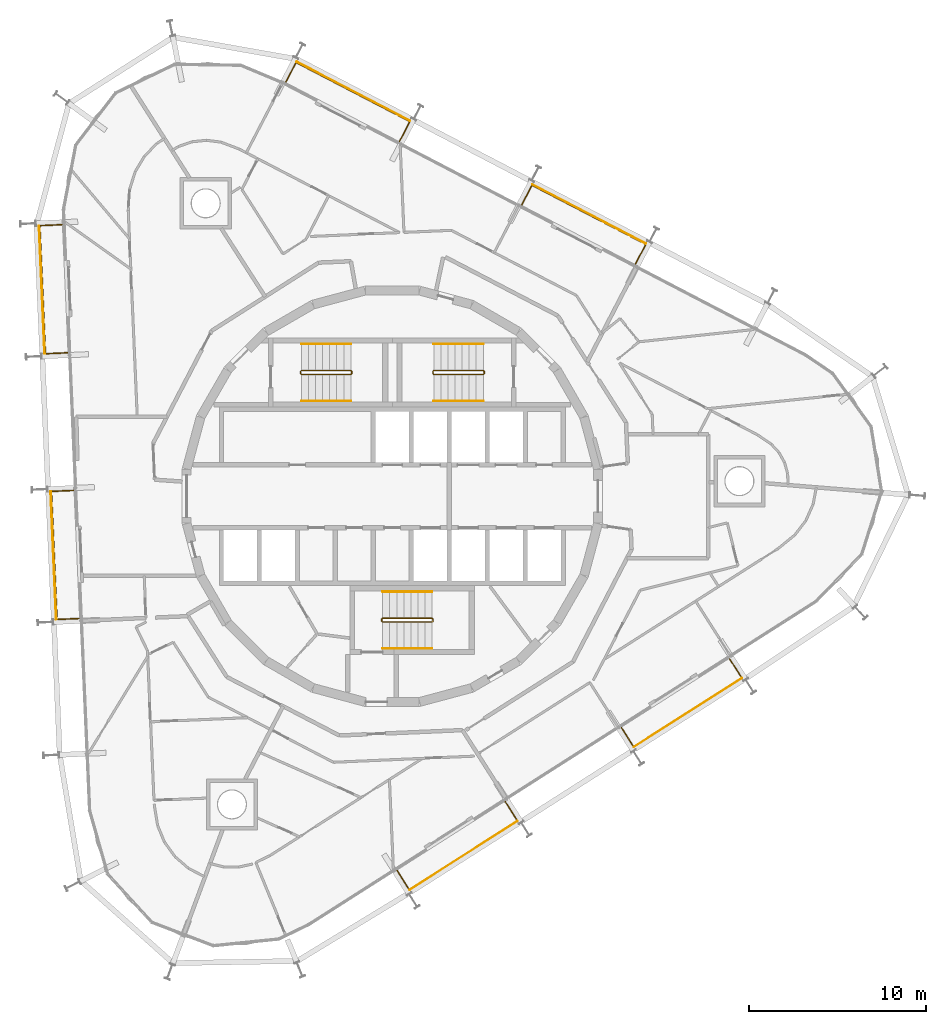
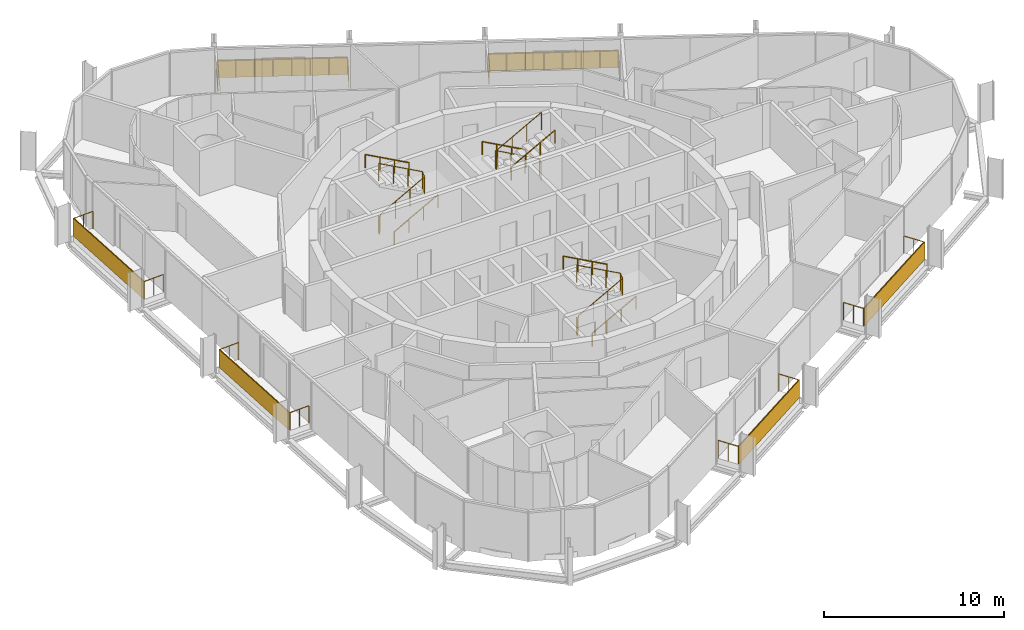
# One storey, part 18 of 18: 15 railings, 6 shading devices.
"""IFC4 building model written with IfcOpenShell, lengths in metres."""

from ifc_helpers import new_model, si_unit, direction, frame, origin, origin_2d, place, context, subcontext, project, spatial, rectangle, circle, extrude, material, layer, layer_set, type_object, element, save


model = new_model("IFC4")

# Units and contexts
model_context = context("Model", 3, precision=1e-05, world=origin(), true_north=direction((0.0, 1.0)))
body_context = subcontext(model_context, "Body", "Model", "MODEL_VIEW")
ifc_project = project(units=[si_unit("LENGTHUNIT", "METRE"), si_unit("AREAUNIT", "SQUARE_METRE"), si_unit("VOLUMEUNIT", "CUBIC_METRE"), si_unit("PLANEANGLEUNIT", "RADIAN"), si_unit("MASSUNIT", "GRAM", prefix="KILO")], contexts=[model_context])

# Site, building, storey
site_placement = place(None, origin())
site = spatial("IfcSite", under=ifc_project, at=site_placement, CompositionType="ELEMENT")
building_placement = place(site_placement, origin())
building = spatial("IfcBuilding", under=site, at=building_placement, Name="Spindle Arch Residences", CompositionType="ELEMENT")
storey_placement = place(building_placement, frame((0.0, 0.0, 254.699951171875)))
storey = spatial("IfcBuildingStorey", under=building, at=storey_placement, Name="L65", CompositionType="ELEMENT", Elevation=254.699951171875)

# Railings
ifc_material_1 = material(Name="Bronze anodised aluminium guard with glass infill", Category="aluminium")
railing_type_1 = type_object("IfcRailingType", Name="Balcony guard 1200", PredefinedType="GUARDRAIL", material=ifc_material_1)
railing_1_placement = place(storey_placement, frame((12.9736328125, -13.106201171875, 0.0)))
element("IfcRailing", 1, at=railing_1_placement, inside=storey, type_object=railing_type_1, Name="Guard L65 bay 1", PredefinedType="GUARDRAIL", context=body_context, shape_type="SweptSolid", body=[
    extrude(circle(Radius=0.02392578125, at=origin_2d()), frame((0.0, 0.0, 1.17578125), z_axis=(0.537317754526, -0.843379885148, 0.0), x_axis=(0.843379885148, 0.537317754526, 0.0)), (0.0, 0.0, 1.0), 1.25),
    extrude(circle(Radius=0.02392578125, at=origin_2d()), frame((0.671630859375, -1.05419921875, 1.17578125), z_axis=(0.843396919493, 0.537291016294, 0.0), x_axis=(-0.537291016294, 0.843396919493, 0.0)), (0.0, 0.0, 1.0), 7.26025390625),
    extrude(circle(Radius=0.02392578125, at=origin_2d()), frame((6.794921875, 2.8466796875, 1.17578125), z_axis=(-0.537317754526, 0.843379885148, 0.0), x_axis=(-0.843379885148, -0.537317754526, 0.0)), (0.0, 0.0, 1.0), 1.25),
    extrude(circle(Radius=0.02099609375, at=origin_2d()), origin(), (0.0, 0.0, 1.0), 1.15185546875),
    extrude(circle(Radius=0.02099609375, at=origin_2d()), frame((0.3359375, -0.527099609375, 0.0)), (0.0, 0.0, 1.0), 1.15185546875),
    extrude(circle(Radius=0.02099609375, at=origin_2d()), frame((0.671630859375, -1.05419921875, 0.0)), (0.0, 0.0, 1.0), 1.15185546875),
    extrude(circle(Radius=0.02099609375, at=origin_2d()), frame((1.54638671875, -0.496826171875, 0.0)), (0.0, 0.0, 1.0), 1.15185546875),
    extrude(circle(Radius=0.02099609375, at=origin_2d()), frame((2.421142578125, 0.060302734375, 0.0)), (0.0, 0.0, 1.0), 1.15185546875),
    extrude(circle(Radius=0.02099609375, at=origin_2d()), frame((3.2958984375, 0.61767578125, 0.0)), (0.0, 0.0, 1.0), 1.15185546875),
    extrude(circle(Radius=0.02099609375, at=origin_2d()), frame((4.170654296875, 1.1748046875, 0.0)), (0.0, 0.0, 1.0), 1.15185546875),
    extrude(circle(Radius=0.02099609375, at=origin_2d()), frame((5.04541015625, 1.732177734375, 0.0)), (0.0, 0.0, 1.0), 1.15185546875),
    extrude(circle(Radius=0.02099609375, at=origin_2d()), frame((5.920166015625, 2.289306640625, 0.0)), (0.0, 0.0, 1.0), 1.15185546875),
    extrude(circle(Radius=0.02099609375, at=origin_2d()), frame((6.794921875, 2.8466796875, 0.0)), (0.0, 0.0, 1.0), 1.15185546875),
    extrude(circle(Radius=0.02099609375, at=origin_2d()), frame((6.458984375, 3.373779296875, 0.0)), (0.0, 0.0, 1.0), 1.15185546875),
    extrude(circle(Radius=0.02099609375, at=origin_2d()), frame((6.123291015625, 3.90087890625, 0.0)), (0.0, 0.0, 1.0), 1.15185546875),
])
railing_2_placement = place(storey_placement, frame((13.76904296875, 13.152587890625, 0.0)))
element("IfcRailing", 2, at=railing_2_placement, inside=storey, type_object=railing_type_1, Name="Guard L65 bay 7", PredefinedType="GUARDRAIL", context=body_context, shape_type="SweptSolid", body=[
    extrude(circle(Radius=0.02392578125, at=origin_2d()), frame((0.0, 0.0, 1.17578125), z_axis=(0.461684760331, 0.887044069975, 0.0), x_axis=(-0.887044069975, 0.461684760331, 0.0)), (0.0, 0.0, 1.0), 1.25),
    extrude(circle(Radius=0.02392578125, at=origin_2d()), frame((0.5771484375, 1.10888671875, 1.17578125), z_axis=(-0.887010793131, 0.461748690165, 0.0), x_axis=(-0.461748690165, -0.887010793131, 0.0)), (0.0, 0.0, 1.0), 7.260009765625),
    extrude(circle(Radius=0.02392578125, at=origin_2d()), frame((-5.862548828125, 4.461181640625, 1.17578125), z_axis=(-0.461684760331, -0.887044069975, 0.0), x_axis=(0.887044069975, -0.461684760331, 0.0)), (0.0, 0.0, 1.0), 1.25),
    extrude(circle(Radius=0.02099609375, at=origin_2d()), origin(), (0.0, 0.0, 1.0), 1.15185546875),
    extrude(circle(Radius=0.02099609375, at=origin_2d()), frame((0.28857421875, 0.554443359375, 0.0)), (0.0, 0.0, 1.0), 1.15185546875),
    extrude(circle(Radius=0.02099609375, at=origin_2d()), frame((0.5771484375, 1.10888671875, 0.0)), (0.0, 0.0, 1.0), 1.15185546875),
    extrude(circle(Radius=0.02099609375, at=origin_2d()), frame((-0.3427734375, 1.587890625, 0.0)), (0.0, 0.0, 1.0), 1.15185546875),
    extrude(circle(Radius=0.02099609375, at=origin_2d()), frame((-1.2626953125, 2.066650390625, 0.0)), (0.0, 0.0, 1.0), 1.15185546875),
    extrude(circle(Radius=0.02099609375, at=origin_2d()), frame((-2.1826171875, 2.545654296875, 0.0)), (0.0, 0.0, 1.0), 1.15185546875),
    extrude(circle(Radius=0.02099609375, at=origin_2d()), frame((-3.102783203125, 3.0244140625, 0.0)), (0.0, 0.0, 1.0), 1.15185546875),
    extrude(circle(Radius=0.02099609375, at=origin_2d()), frame((-4.022705078125, 3.50341796875, 0.0)), (0.0, 0.0, 1.0), 1.15185546875),
    extrude(circle(Radius=0.02099609375, at=origin_2d()), frame((-4.942626953125, 3.982177734375, 0.0)), (0.0, 0.0, 1.0), 1.15185546875),
    extrude(circle(Radius=0.02099609375, at=origin_2d()), frame((-5.862548828125, 4.461181640625, 0.0)), (0.0, 0.0, 1.0), 1.15185546875),
    extrude(circle(Radius=0.02099609375, at=origin_2d()), frame((-6.151123046875, 3.90673828125, 0.0)), (0.0, 0.0, 1.0), 1.15185546875),
    extrude(circle(Radius=0.02099609375, at=origin_2d()), frame((-6.439697265625, 3.352294921875, 0.0)), (0.0, 0.0, 1.0), 1.15185546875),
])
railing_3_placement = place(storey_placement, frame((0.410400390625, 20.106689453125, 0.0)))
element("IfcRailing", 3, at=railing_3_placement, inside=storey, type_object=railing_type_1, Name="Guard L65 bay 9", PredefinedType="GUARDRAIL", context=body_context, shape_type="SweptSolid", body=[
    extrude(circle(Radius=0.02392578125, at=origin_2d()), frame((0.0, 0.0, 1.17578125), z_axis=(0.461918414855, 0.88692241939, 0.0), x_axis=(-0.88692241939, 0.461918414855, 0.0)), (0.0, 0.0, 1.0), 1.25),
    extrude(circle(Radius=0.02392578125, at=origin_2d()), frame((0.577392578125, 1.108642578125, 1.17578125), z_axis=(-0.887017962739, 0.461734917218, 0.0), x_axis=(-0.461734917218, -0.887017962739, 0.0)), (0.0, 0.0, 1.0), 7.26025390625),
    extrude(circle(Radius=0.02392578125, at=origin_2d()), frame((-5.862548828125, 4.4609375, 1.17578125), z_axis=(-0.461764753675, -0.887002430811, 0.0), x_axis=(0.887002430811, -0.461764753675, 0.0)), (0.0, 0.0, 1.0), 1.249755859375),
    extrude(circle(Radius=0.02099609375, at=origin_2d()), origin(), (0.0, 0.0, 1.0), 1.15185546875),
    extrude(circle(Radius=0.02099609375, at=origin_2d()), frame((0.28857421875, 0.55419921875, 0.0)), (0.0, 0.0, 1.0), 1.15185546875),
    extrude(circle(Radius=0.02099609375, at=origin_2d()), frame((0.577392578125, 1.108642578125, 0.0)), (0.0, 0.0, 1.0), 1.15185546875),
    extrude(circle(Radius=0.02099609375, at=origin_2d()), frame((-0.342529296875, 1.587646484375, 0.0)), (0.0, 0.0, 1.0), 1.15185546875),
    extrude(circle(Radius=0.02099609375, at=origin_2d()), frame((-1.2626953125, 2.06640625, 0.0)), (0.0, 0.0, 1.0), 1.15185546875),
    extrude(circle(Radius=0.02099609375, at=origin_2d()), frame((-2.1826171875, 2.54541015625, 0.0)), (0.0, 0.0, 1.0), 1.15185546875),
    extrude(circle(Radius=0.02099609375, at=origin_2d()), frame((-3.1025390625, 3.024169921875, 0.0)), (0.0, 0.0, 1.0), 1.15185546875),
    extrude(circle(Radius=0.02099609375, at=origin_2d()), frame((-4.0224609375, 3.503173828125, 0.0)), (0.0, 0.0, 1.0), 1.15185546875),
    extrude(circle(Radius=0.02099609375, at=origin_2d()), frame((-4.942626953125, 3.98193359375, 0.0)), (0.0, 0.0, 1.0), 1.15185546875),
    extrude(circle(Radius=0.02099609375, at=origin_2d()), frame((-5.862548828125, 4.4609375, 0.0)), (0.0, 0.0, 1.0), 1.15185546875),
    extrude(circle(Radius=0.02099609375, at=origin_2d()), frame((-6.151123046875, 3.90673828125, 0.0)), (0.0, 0.0, 1.0), 1.15185546875),
    extrude(circle(Radius=0.02099609375, at=origin_2d()), frame((-6.439697265625, 3.352294921875, 0.0)), (0.0, 0.0, 1.0), 1.15185546875),
])
railing_4_placement = place(storey_placement, frame((-18.712890625, 15.378662109375, 0.0)))
element("IfcRailing", 4, at=railing_4_placement, inside=storey, type_object=railing_type_1, Name="Guard L65 bay 13", PredefinedType="GUARDRAIL", context=body_context, shape_type="SweptSolid", body=[
    extrude(circle(Radius=0.02392578125, at=origin_2d()), frame((0.0, 0.0, 1.17578125), z_axis=(-0.999042473849, -0.043750833654, 0.0), x_axis=(0.043750833654, -0.999042473849, 0.0)), (0.0, 0.0, 1.0), 1.25),
    extrude(circle(Radius=0.02392578125, at=origin_2d()), frame((-1.248779296875, -0.0546875, 1.17578125), z_axis=(0.043615260597, -0.999048401752, 0.0), x_axis=(0.999048401752, 0.043615260597, 0.0)), (0.0, 0.0, 1.0), 7.260009765625),
    extrude(circle(Radius=0.02392578125, at=origin_2d()), frame((-0.93212890625, -7.307861328125, 1.17578125), z_axis=(0.999042473849, 0.043750833654, 0.0), x_axis=(-0.043750833654, 0.999042473849, 0.0)), (0.0, 0.0, 1.0), 1.25),
    extrude(circle(Radius=0.02099609375, at=origin_2d()), origin(), (0.0, 0.0, 1.0), 1.15185546875),
    extrude(circle(Radius=0.02099609375, at=origin_2d()), frame((-0.62451171875, -0.02734375, 0.0)), (0.0, 0.0, 1.0), 1.15185546875),
    extrude(circle(Radius=0.02099609375, at=origin_2d()), frame((-1.248779296875, -0.0546875, 0.0)), (0.0, 0.0, 1.0), 1.15185546875),
    extrude(circle(Radius=0.02099609375, at=origin_2d()), frame((-1.20361328125, -1.0908203125, 0.0)), (0.0, 0.0, 1.0), 1.15185546875),
    extrude(circle(Radius=0.02099609375, at=origin_2d()), frame((-1.158203125, -2.126953125, 0.0)), (0.0, 0.0, 1.0), 1.15185546875),
    extrude(circle(Radius=0.02099609375, at=origin_2d()), frame((-1.113037109375, -3.1630859375, 0.0)), (0.0, 0.0, 1.0), 1.15185546875),
    extrude(circle(Radius=0.02099609375, at=origin_2d()), frame((-1.06787109375, -4.199462890625, 0.0)), (0.0, 0.0, 1.0), 1.15185546875),
    extrude(circle(Radius=0.02099609375, at=origin_2d()), frame((-1.022705078125, -5.235595703125, 0.0)), (0.0, 0.0, 1.0), 1.15185546875),
    extrude(circle(Radius=0.02099609375, at=origin_2d()), frame((-0.977294921875, -6.271728515625, 0.0)), (0.0, 0.0, 1.0), 1.15185546875),
    extrude(circle(Radius=0.02099609375, at=origin_2d()), frame((-0.93212890625, -7.307861328125, 0.0)), (0.0, 0.0, 1.0), 1.15185546875),
    extrude(circle(Radius=0.02099609375, at=origin_2d()), frame((-0.3076171875, -7.280517578125, 0.0)), (0.0, 0.0, 1.0), 1.15185546875),
    extrude(circle(Radius=0.02099609375, at=origin_2d()), frame((0.316650390625, -7.253173828125, 0.0)), (0.0, 0.0, 1.0), 1.15185546875),
])
railing_5_placement = place(storey_placement, frame((-18.05615234375, 0.332763671875, 0.0)))
element("IfcRailing", 5, at=railing_5_placement, inside=storey, type_object=railing_type_1, Name="Guard L65 bay 15", PredefinedType="GUARDRAIL", context=body_context, shape_type="SweptSolid", body=[
    extrude(circle(Radius=0.02392578125, at=origin_2d()), frame((0.0, 0.0, 1.17578125), z_axis=(-0.999050991967, -0.043555888799, 0.0), x_axis=(0.043555888799, -0.999050991967, 0.0)), (0.0, 0.0, 1.0), 1.25),
    extrude(circle(Radius=0.02392578125, at=origin_2d()), frame((-1.248779296875, -0.054443359375, 1.17578125), z_axis=(0.043615260597, -0.999048401752, 0.0), x_axis=(0.999048401752, 0.043615260597, 0.0)), (0.0, 0.0, 1.0), 7.260009765625),
    extrude(circle(Radius=0.02392578125, at=origin_2d()), frame((-0.93212890625, -7.3076171875, 1.17578125), z_axis=(0.999051362399, 0.043547391285, 0.0), x_axis=(-0.043547391285, 0.999051362399, 0.0)), (0.0, 0.0, 1.0), 1.250244140625),
    extrude(circle(Radius=0.02099609375, at=origin_2d()), origin(), (0.0, 0.0, 1.0), 1.15185546875),
    extrude(circle(Radius=0.02099609375, at=origin_2d()), frame((-0.62451171875, -0.02734375, 0.0)), (0.0, 0.0, 1.0), 1.15185546875),
    extrude(circle(Radius=0.02099609375, at=origin_2d()), frame((-1.248779296875, -0.054443359375, 0.0)), (0.0, 0.0, 1.0), 1.15185546875),
    extrude(circle(Radius=0.02099609375, at=origin_2d()), frame((-1.20361328125, -1.090576171875, 0.0)), (0.0, 0.0, 1.0), 1.15185546875),
    extrude(circle(Radius=0.02099609375, at=origin_2d()), frame((-1.158203125, -2.126708984375, 0.0)), (0.0, 0.0, 1.0), 1.15185546875),
    extrude(circle(Radius=0.02099609375, at=origin_2d()), frame((-1.113037109375, -3.162841796875, 0.0)), (0.0, 0.0, 1.0), 1.15185546875),
    extrude(circle(Radius=0.02099609375, at=origin_2d()), frame((-1.06787109375, -4.19921875, 0.0)), (0.0, 0.0, 1.0), 1.15185546875),
    extrude(circle(Radius=0.02099609375, at=origin_2d()), frame((-1.022705078125, -5.2353515625, 0.0)), (0.0, 0.0, 1.0), 1.15185546875),
    extrude(circle(Radius=0.02099609375, at=origin_2d()), frame((-0.977294921875, -6.271484375, 0.0)), (0.0, 0.0, 1.0), 1.15185546875),
    extrude(circle(Radius=0.02099609375, at=origin_2d()), frame((-0.93212890625, -7.3076171875, 0.0)), (0.0, 0.0, 1.0), 1.15185546875),
    extrude(circle(Radius=0.02099609375, at=origin_2d()), frame((-0.3076171875, -7.2802734375, 0.0)), (0.0, 0.0, 1.0), 1.15185546875),
    extrude(circle(Radius=0.02099609375, at=origin_2d()), frame((0.31689453125, -7.253173828125, 0.0)), (0.0, 0.0, 1.0), 1.15185546875),
])
railing_6_placement = place(storey_placement, frame((0.272216796875, -21.197998046875, 0.0)))
element("IfcRailing", 6, at=railing_6_placement, inside=storey, type_object=railing_type_1, Name="Guard L65 bay 21", PredefinedType="GUARDRAIL", context=body_context, shape_type="SweptSolid", body=[
    extrude(circle(Radius=0.02392578125, at=origin_2d()), frame((0.0, 0.0, 1.17578125), z_axis=(0.537317754526, -0.843379885148, 0.0), x_axis=(0.843379885148, 0.537317754526, 0.0)), (0.0, 0.0, 1.0), 1.25),
    extrude(circle(Radius=0.02392578125, at=origin_2d()), frame((0.671630859375, -1.05419921875, 1.17578125), z_axis=(0.843387211604, 0.537306254665, 0.0), x_axis=(-0.537306254665, 0.843387211604, 0.0)), (0.0, 0.0, 1.0), 7.260009765625),
    extrude(circle(Radius=0.02392578125, at=origin_2d()), frame((6.794677734375, 2.8466796875, 1.17578125), z_axis=(-0.537317754526, 0.843379885148, 0.0), x_axis=(-0.843379885148, -0.537317754526, 0.0)), (0.0, 0.0, 1.0), 1.25),
    extrude(circle(Radius=0.02099609375, at=origin_2d()), origin(), (0.0, 0.0, 1.0), 1.15185546875),
    extrude(circle(Radius=0.02099609375, at=origin_2d()), frame((0.3359375, -0.527099609375, 0.0)), (0.0, 0.0, 1.0), 1.15185546875),
    extrude(circle(Radius=0.02099609375, at=origin_2d()), frame((0.671630859375, -1.05419921875, 0.0)), (0.0, 0.0, 1.0), 1.15185546875),
    extrude(circle(Radius=0.02099609375, at=origin_2d()), frame((1.54638671875, -0.496826171875, 0.0)), (0.0, 0.0, 1.0), 1.15185546875),
    extrude(circle(Radius=0.02099609375, at=origin_2d()), frame((2.421142578125, 0.060302734375, 0.0)), (0.0, 0.0, 1.0), 1.15185546875),
    extrude(circle(Radius=0.02099609375, at=origin_2d()), frame((3.2958984375, 0.61767578125, 0.0)), (0.0, 0.0, 1.0), 1.15185546875),
    extrude(circle(Radius=0.02099609375, at=origin_2d()), frame((4.17041015625, 1.1748046875, 0.0)), (0.0, 0.0, 1.0), 1.15185546875),
    extrude(circle(Radius=0.02099609375, at=origin_2d()), frame((5.045166015625, 1.732177734375, 0.0)), (0.0, 0.0, 1.0), 1.15185546875),
    extrude(circle(Radius=0.02099609375, at=origin_2d()), frame((5.919921875, 2.289306640625, 0.0)), (0.0, 0.0, 1.0), 1.15185546875),
    extrude(circle(Radius=0.02099609375, at=origin_2d()), frame((6.794677734375, 2.8466796875, 0.0)), (0.0, 0.0, 1.0), 1.15185546875),
    extrude(circle(Radius=0.02099609375, at=origin_2d()), frame((6.458984375, 3.373779296875, 0.0)), (0.0, 0.0, 1.0), 1.15185546875),
    extrude(circle(Radius=0.02099609375, at=origin_2d()), frame((6.123046875, 3.90087890625, 0.0)), (0.0, 0.0, 1.0), 1.15185546875),
])

# Shading devices
ifc_material_2 = material(Name="Bronze perforated cobogo screen")
ifc_layer = layer(ifc_material_2, 0.0390625)
ifc_layer_set = layer_set([ifc_layer], Name="Cobogo screen 1200")
shading_device_type = type_object("IfcShadingDeviceType", Name="Cobogo screen 1200", PredefinedType="USERDEFINED", material=ifc_layer_set)
for number, where, z_axis, x_axis, name in (
    (7, (16.728759765625, -12.244140625, 0.0), (0.0, 0.0, 1.0), (0.843391445813, 0.537299608347, 0.0), "Cobogo screen L65 bay 1"),
    (8, (11.14501953125, 15.973388671875, 0.0), (0.0, 0.0, 1.0), (-0.887010833178, 0.461748613235, 0.0), "Cobogo screen L65 bay 7"),
    (9, (-2.21337890625, 22.927490234375, 0.0), (0.0, 0.0, 1.0), (-0.887010833178, 0.461748613235, 0.0), "Cobogo screen L65 bay 9"),
    (10, (-19.843994140625, 11.69580078125, 0.0), (0.0, 0.0, 1.0), (0.043619387365, -0.999048221582, 0.0), "Cobogo screen L65 bay 13"),
    (11, (-19.18701171875, -3.35009765625, 0.0), (0.0, 0.0, 1.0), (0.043619387365, -0.999048221582, 0.0), "Cobogo screen L65 bay 15"),
    (12, (4.027099609375, -20.3359375, 0.0), (0.0, 0.0, 1.0), (0.843391445813, 0.537299608347, 0.0), "Cobogo screen L65 bay 21"),
):
    element("IfcShadingDevice", number, at=place(storey_placement, frame(where, z_axis=z_axis, x_axis=x_axis)), inside=storey, type_object=shading_device_type, Name=name, ObjectType="SCREEN", PredefinedType="USERDEFINED", context=body_context, shape_type="SweptSolid", body=[
        extrude(rectangle(XDim=7.260009765625, YDim=0.0390625, at=origin_2d()), origin(), (0.0, 0.0, 1.0), 1.199951171875),
    ])

# Railings
ifc_material_3 = material(Name="Steel, painted", Category="steel")
railing_type_2 = type_object("IfcRailingType", Name="Stair guard 1100", PredefinedType="GUARDRAIL", material=ifc_material_3)
railing_7_placement = place(storey_placement, frame((5.14990234375, 6.89990234375, 3.5)))
element("IfcRailing", 13, at=railing_7_placement, inside=storey, type_object=railing_type_2, Name="L65 ST1 stair guard 1", PredefinedType="GUARDRAIL", context=body_context, shape_type="SweptSolid", body=[
    extrude(circle(Radius=0.02392578125, at=origin_2d()), frame((0.0, 0.0, 1.17578125), z_axis=(-0.877357048833, 0.0, -0.479838106931), x_axis=(0.0, -1.0, 0.0)), (0.0, 0.0, 1.0), 3.191162109375),
    extrude(circle(Radius=0.02392578125, at=origin_2d()), frame((-2.7998046875, 0.0, -0.35546875), z_axis=(-0.217683172539, 0.217683172539, -0.951434744366), x_axis=(-0.707106781187, -0.707106781187, 0.0)), (0.0, 0.0, 1.0), 0.22998046875),
    extrude(circle(Radius=0.02392578125, at=origin_2d()), frame((-2.849853515625, 0.050048828125, -0.57421875), z_axis=(0.0, 1.0, 0.0), x_axis=(-1.0, 0.0, 0.0)), (0.0, 0.0, 1.0), 0.1201171875),
    extrude(circle(Radius=0.02392578125, at=origin_2d()), frame((-2.849853515625, 0.170166015625, -0.57421875), z_axis=(0.707106781187, 0.707106781187, 0.0), x_axis=(-0.707106781187, 0.707106781187, 0.0)), (0.0, 0.0, 1.0), 0.07080078125),
    extrude(circle(Radius=0.02392578125, at=origin_2d()), frame((-2.7998046875, 0.22021484375, -0.57421875), z_axis=(0.877357048833, 0.0, -0.479838106931), x_axis=(0.0, 1.0, 0.0)), (0.0, 0.0, 1.0), 3.191162109375),
    extrude(circle(Radius=0.02392578125, at=origin_2d()), frame((0.0, 0.22021484375, -2.10546875), z_axis=(0.217683172539, -0.217683172539, -0.951434744366), x_axis=(0.707106781187, 0.707106781187, 0.0)), (0.0, 0.0, 1.0), 0.22998046875),
    extrude(circle(Radius=0.02392578125, at=origin_2d()), frame((0.050048828125, 0.170166015625, -2.32421875), z_axis=(0.0, -1.0, 0.0), x_axis=(1.0, 0.0, 0.0)), (0.0, 0.0, 1.0), 0.1201171875),
    extrude(circle(Radius=0.02099609375, at=origin_2d()), origin(), (0.0, 0.0, 1.0), 1.15185546875),
    extrude(circle(Radius=0.02099609375, at=origin_2d()), frame((-0.933349609375, 0.0, -0.510498046875)), (0.0, 0.0, 1.0), 1.15185546875),
    extrude(circle(Radius=0.02099609375, at=origin_2d()), frame((-1.866455078125, 0.0, -1.020751953125)), (0.0, 0.0, 1.0), 1.15185546875),
    extrude(circle(Radius=0.02099609375, at=origin_2d()), frame((-2.7998046875, 0.0, -1.53125)), (0.0, 0.0, 1.0), 1.15185546875),
    extrude(circle(Radius=0.02099609375, at=origin_2d()), frame((-2.849853515625, 0.050048828125, -1.75)), (0.0, 0.0, 1.0), 1.15185546875),
    extrude(circle(Radius=0.02099609375, at=origin_2d()), frame((-2.849853515625, 0.170166015625, -1.75)), (0.0, 0.0, 1.0), 1.15185546875),
    extrude(circle(Radius=0.02099609375, at=origin_2d()), frame((-2.7998046875, 0.22021484375, -1.75)), (0.0, 0.0, 1.0), 1.15185546875),
    extrude(circle(Radius=0.02099609375, at=origin_2d()), frame((-1.866455078125, 0.22021484375, -2.260498046875)), (0.0, 0.0, 1.0), 1.15185546875),
    extrude(circle(Radius=0.02099609375, at=origin_2d()), frame((-0.933349609375, 0.22021484375, -2.770751953125)), (0.0, 0.0, 1.0), 1.15185546875),
    extrude(circle(Radius=0.02099609375, at=origin_2d()), frame((0.0, 0.22021484375, -3.28125)), (0.0, 0.0, 1.0), 1.15185546875),
    extrude(circle(Radius=0.02099609375, at=origin_2d()), frame((0.050048828125, 0.170166015625, -3.5)), (0.0, 0.0, 1.0), 1.15185546875),
    extrude(circle(Radius=0.02099609375, at=origin_2d()), frame((0.050048828125, 0.050048828125, -3.5)), (0.0, 0.0, 1.0), 1.15185546875),
])
railing_8_placement = place(storey_placement, frame((-5.14990234375, 7.1201171875, 3.5)))
element("IfcRailing", 14, at=railing_8_placement, inside=storey, type_object=railing_type_2, Name="L65 ST2 stair guard 1", PredefinedType="GUARDRAIL", context=body_context, shape_type="SweptSolid", body=[
    extrude(circle(Radius=0.02392578125, at=origin_2d()), frame((0.0, 0.0, 1.17578125), z_axis=(0.877357048833, 0.0, -0.479838106931), x_axis=(0.0, 1.0, 0.0)), (0.0, 0.0, 1.0), 3.191162109375),
    extrude(circle(Radius=0.02392578125, at=origin_2d()), frame((2.7998046875, 0.0, -0.35546875), z_axis=(0.217683172539, -0.217683172539, -0.951434744366), x_axis=(0.707106781187, 0.707106781187, 0.0)), (0.0, 0.0, 1.0), 0.22998046875),
    extrude(circle(Radius=0.02392578125, at=origin_2d()), frame((2.849853515625, -0.050048828125, -0.57421875), z_axis=(0.0, -1.0, 0.0), x_axis=(1.0, 0.0, 0.0)), (0.0, 0.0, 1.0), 0.1201171875),
    extrude(circle(Radius=0.02392578125, at=origin_2d()), frame((2.849853515625, -0.170166015625, -0.57421875), z_axis=(-0.707106781187, -0.707106781187, 0.0), x_axis=(0.707106781187, -0.707106781187, 0.0)), (0.0, 0.0, 1.0), 0.07080078125),
    extrude(circle(Radius=0.02392578125, at=origin_2d()), frame((2.7998046875, -0.22021484375, -0.57421875), z_axis=(-0.877357048833, 0.0, -0.479838106931), x_axis=(0.0, -1.0, 0.0)), (0.0, 0.0, 1.0), 3.191162109375),
    extrude(circle(Radius=0.02392578125, at=origin_2d()), frame((0.0, -0.22021484375, -2.10546875), z_axis=(-0.217683172539, 0.217683172539, -0.951434744366), x_axis=(-0.707106781187, -0.707106781187, 0.0)), (0.0, 0.0, 1.0), 0.22998046875),
    extrude(circle(Radius=0.02392578125, at=origin_2d()), frame((-0.050048828125, -0.170166015625, -2.32421875), z_axis=(0.0, 1.0, 0.0), x_axis=(-1.0, 0.0, 0.0)), (0.0, 0.0, 1.0), 0.1201171875),
    extrude(circle(Radius=0.02099609375, at=origin_2d()), origin(), (0.0, 0.0, 1.0), 1.15185546875),
    extrude(circle(Radius=0.02099609375, at=origin_2d()), frame((0.933349609375, 0.0, -0.510498046875)), (0.0, 0.0, 1.0), 1.15185546875),
    extrude(circle(Radius=0.02099609375, at=origin_2d()), frame((1.866455078125, 0.0, -1.020751953125)), (0.0, 0.0, 1.0), 1.15185546875),
    extrude(circle(Radius=0.02099609375, at=origin_2d()), frame((2.7998046875, 0.0, -1.53125)), (0.0, 0.0, 1.0), 1.15185546875),
    extrude(circle(Radius=0.02099609375, at=origin_2d()), frame((2.849853515625, -0.050048828125, -1.75)), (0.0, 0.0, 1.0), 1.15185546875),
    extrude(circle(Radius=0.02099609375, at=origin_2d()), frame((2.849853515625, -0.170166015625, -1.75)), (0.0, 0.0, 1.0), 1.15185546875),
    extrude(circle(Radius=0.02099609375, at=origin_2d()), frame((2.7998046875, -0.22021484375, -1.75)), (0.0, 0.0, 1.0), 1.15185546875),
    extrude(circle(Radius=0.02099609375, at=origin_2d()), frame((1.866455078125, -0.22021484375, -2.260498046875)), (0.0, 0.0, 1.0), 1.15185546875),
    extrude(circle(Radius=0.02099609375, at=origin_2d()), frame((0.933349609375, -0.22021484375, -2.770751953125)), (0.0, 0.0, 1.0), 1.15185546875),
    extrude(circle(Radius=0.02099609375, at=origin_2d()), frame((0.0, -0.22021484375, -3.28125)), (0.0, 0.0, 1.0), 1.15185546875),
    extrude(circle(Radius=0.02099609375, at=origin_2d()), frame((-0.050048828125, -0.170166015625, -3.5)), (0.0, 0.0, 1.0), 1.15185546875),
    extrude(circle(Radius=0.02099609375, at=origin_2d()), frame((-0.050048828125, -0.050048828125, -3.5)), (0.0, 0.0, 1.0), 1.15185546875),
])
railing_9_placement = place(storey_placement, frame((-0.550048828125, -6.89990234375, 3.5)))
element("IfcRailing", 15, at=railing_9_placement, inside=storey, type_object=railing_type_2, Name="L65 ST3 stair guard 1", PredefinedType="GUARDRAIL", context=body_context, shape_type="SweptSolid", body=[
    extrude(circle(Radius=0.02392578125, at=origin_2d()), frame((0.0, 0.0, 1.17578125), z_axis=(0.877374661878, 0.0, -0.479805901063), x_axis=(0.0, 1.0, 0.0)), (0.0, 0.0, 1.0), 3.19140625),
    extrude(circle(Radius=0.02392578125, at=origin_2d()), frame((2.800048828125, 0.0, -0.35546875), z_axis=(0.217683172539, -0.217683172539, -0.951434744366), x_axis=(0.707106781187, 0.707106781187, 0.0)), (0.0, 0.0, 1.0), 0.22998046875),
    extrude(circle(Radius=0.02392578125, at=origin_2d()), frame((2.85009765625, -0.050048828125, -0.57421875), z_axis=(0.0, -1.0, 0.0), x_axis=(1.0, 0.0, 0.0)), (0.0, 0.0, 1.0), 0.1201171875),
    extrude(circle(Radius=0.02392578125, at=origin_2d()), frame((2.85009765625, -0.170166015625, -0.57421875), z_axis=(-0.707106781187, -0.707106781187, 0.0), x_axis=(0.707106781187, -0.707106781187, 0.0)), (0.0, 0.0, 1.0), 0.07080078125),
    extrude(circle(Radius=0.02392578125, at=origin_2d()), frame((2.800048828125, -0.22021484375, -0.57421875), z_axis=(-0.877374661878, 0.0, -0.479805901063), x_axis=(0.0, -1.0, 0.0)), (0.0, 0.0, 1.0), 3.19140625),
    extrude(circle(Radius=0.02392578125, at=origin_2d()), frame((0.0, -0.22021484375, -2.10546875), z_axis=(-0.217683172539, 0.217683172539, -0.951434744366), x_axis=(-0.707106781187, -0.707106781187, 0.0)), (0.0, 0.0, 1.0), 0.22998046875),
    extrude(circle(Radius=0.02392578125, at=origin_2d()), frame((-0.050048828125, -0.170166015625, -2.32421875), z_axis=(0.0, 1.0, 0.0), x_axis=(-1.0, 0.0, 0.0)), (0.0, 0.0, 1.0), 0.1201171875),
    extrude(circle(Radius=0.02099609375, at=origin_2d()), origin(), (0.0, 0.0, 1.0), 1.15185546875),
    extrude(circle(Radius=0.02099609375, at=origin_2d()), frame((0.933349609375, 0.0, -0.510498046875)), (0.0, 0.0, 1.0), 1.15185546875),
    extrude(circle(Radius=0.02099609375, at=origin_2d()), frame((1.86669921875, 0.0, -1.020751953125)), (0.0, 0.0, 1.0), 1.15185546875),
    extrude(circle(Radius=0.02099609375, at=origin_2d()), frame((2.800048828125, 0.0, -1.53125)), (0.0, 0.0, 1.0), 1.15185546875),
    extrude(circle(Radius=0.02099609375, at=origin_2d()), frame((2.85009765625, -0.050048828125, -1.75)), (0.0, 0.0, 1.0), 1.15185546875),
    extrude(circle(Radius=0.02099609375, at=origin_2d()), frame((2.85009765625, -0.170166015625, -1.75)), (0.0, 0.0, 1.0), 1.15185546875),
    extrude(circle(Radius=0.02099609375, at=origin_2d()), frame((2.800048828125, -0.22021484375, -1.75)), (0.0, 0.0, 1.0), 1.15185546875),
    extrude(circle(Radius=0.02099609375, at=origin_2d()), frame((1.86669921875, -0.22021484375, -2.260498046875)), (0.0, 0.0, 1.0), 1.15185546875),
    extrude(circle(Radius=0.02099609375, at=origin_2d()), frame((0.933349609375, -0.22021484375, -2.770751953125)), (0.0, 0.0, 1.0), 1.15185546875),
    extrude(circle(Radius=0.02099609375, at=origin_2d()), frame((0.0, -0.22021484375, -3.28125)), (0.0, 0.0, 1.0), 1.15185546875),
    extrude(circle(Radius=0.02099609375, at=origin_2d()), frame((-0.050048828125, -0.170166015625, -3.5)), (0.0, 0.0, 1.0), 1.15185546875),
    extrude(circle(Radius=0.02099609375, at=origin_2d()), frame((-0.050048828125, -0.050048828125, -3.5)), (0.0, 0.0, 1.0), 1.15185546875),
])
ifc_material_4 = material(Name="Steel, painted", Category="steel")
railing_type_3 = type_object("IfcRailingType", Name="Stair handrail 900", PredefinedType="HANDRAIL", material=ifc_material_4)
railing_10_placement = place(storey_placement, frame((5.14990234375, 8.6201171875, 0.21875)))
element("IfcRailing", 16, at=railing_10_placement, inside=storey, type_object=railing_type_3, Name="L65 ST1 stair handrail 1", PredefinedType="HANDRAIL", context=body_context, shape_type="SweptSolid", body=[
    extrude(circle(Radius=0.02392578125, at=origin_2d()), frame((0.0, 0.0, 0.8759765625), z_axis=(-0.877357048833, 0.0, 0.479838106931), x_axis=(0.0, -1.0, 0.0)), (0.0, 0.0, 1.0), 3.191162109375),
    extrude(circle(Radius=0.02099609375, at=origin_2d()), origin(), (0.0, 0.0, 1.0), 0.851806640625),
    extrude(circle(Radius=0.02099609375, at=origin_2d()), frame((-0.933349609375, 0.0, 0.510498046875)), (0.0, 0.0, 1.0), 0.851806640625),
    extrude(circle(Radius=0.02099609375, at=origin_2d()), frame((-1.866455078125, 0.0, 1.020751953125)), (0.0, 0.0, 1.0), 0.851806640625),
    extrude(circle(Radius=0.02099609375, at=origin_2d()), frame((-2.7998046875, 0.0, 1.53125)), (0.0, 0.0, 1.0), 0.851806640625),
])
for number, where, name in (
    (17, (2.35009765625, 5.39990234375, 1.96875), "L65 ST1 stair handrail 2"),
    (18, (-5.14990234375, 5.39990234375, 0.21875), "L65 ST2 stair handrail 1"),
):
    element("IfcRailing", number, at=place(storey_placement, frame(where)), inside=storey, type_object=railing_type_3, Name=name, PredefinedType="HANDRAIL", context=body_context, shape_type="SweptSolid", body=[
        extrude(circle(Radius=0.02392578125, at=origin_2d()), frame((0.0, 0.0, 0.8759765625), z_axis=(0.877357048833, 0.0, 0.479838106931), x_axis=(0.0, 1.0, 0.0)), (0.0, 0.0, 1.0), 3.191162109375),
        extrude(circle(Radius=0.02099609375, at=origin_2d()), origin(), (0.0, 0.0, 1.0), 0.851806640625),
        extrude(circle(Radius=0.02099609375, at=origin_2d()), frame((0.933349609375, 0.0, 0.510498046875)), (0.0, 0.0, 1.0), 0.851806640625),
        extrude(circle(Radius=0.02099609375, at=origin_2d()), frame((1.866455078125, 0.0, 1.020751953125)), (0.0, 0.0, 1.0), 0.851806640625),
        extrude(circle(Radius=0.02099609375, at=origin_2d()), frame((2.7998046875, 0.0, 1.53125)), (0.0, 0.0, 1.0), 0.851806640625),
    ])
railing_11_placement = place(storey_placement, frame((-2.35009765625, 8.6201171875, 1.96875)))
element("IfcRailing", 19, at=railing_11_placement, inside=storey, type_object=railing_type_3, Name="L65 ST2 stair handrail 2", PredefinedType="HANDRAIL", context=body_context, shape_type="SweptSolid", body=[
    extrude(circle(Radius=0.02392578125, at=origin_2d()), frame((0.0, 0.0, 0.8759765625), z_axis=(-0.877357048833, 0.0, 0.479838106931), x_axis=(0.0, -1.0, 0.0)), (0.0, 0.0, 1.0), 3.191162109375),
    extrude(circle(Radius=0.02099609375, at=origin_2d()), origin(), (0.0, 0.0, 1.0), 0.851806640625),
    extrude(circle(Radius=0.02099609375, at=origin_2d()), frame((-0.933349609375, 0.0, 0.510498046875)), (0.0, 0.0, 1.0), 0.851806640625),
    extrude(circle(Radius=0.02099609375, at=origin_2d()), frame((-1.866455078125, 0.0, 1.020751953125)), (0.0, 0.0, 1.0), 0.851806640625),
    extrude(circle(Radius=0.02099609375, at=origin_2d()), frame((-2.7998046875, 0.0, 1.53125)), (0.0, 0.0, 1.0), 0.851806640625),
])
railing_12_placement = place(storey_placement, frame((-0.550048828125, -8.6201171875, 0.21875)))
element("IfcRailing", 20, at=railing_12_placement, inside=storey, type_object=railing_type_3, Name="L65 ST3 stair handrail 1", PredefinedType="HANDRAIL", context=body_context, shape_type="SweptSolid", body=[
    extrude(circle(Radius=0.02392578125, at=origin_2d()), frame((0.0, 0.0, 0.8759765625), z_axis=(0.877374661878, 0.0, 0.479805901063), x_axis=(0.0, 1.0, 0.0)), (0.0, 0.0, 1.0), 3.19140625),
    extrude(circle(Radius=0.02099609375, at=origin_2d()), origin(), (0.0, 0.0, 1.0), 0.851806640625),
    extrude(circle(Radius=0.02099609375, at=origin_2d()), frame((0.933349609375, 0.0, 0.510498046875)), (0.0, 0.0, 1.0), 0.851806640625),
    extrude(circle(Radius=0.02099609375, at=origin_2d()), frame((1.86669921875, 0.0, 1.020751953125)), (0.0, 0.0, 1.0), 0.851806640625),
    extrude(circle(Radius=0.02099609375, at=origin_2d()), frame((2.800048828125, 0.0, 1.53125)), (0.0, 0.0, 1.0), 0.851806640625),
])
railing_13_placement = place(storey_placement, frame((2.25, -5.39990234375, 1.96875)))
element("IfcRailing", 21, at=railing_13_placement, inside=storey, type_object=railing_type_3, Name="L65 ST3 stair handrail 2", PredefinedType="HANDRAIL", context=body_context, shape_type="SweptSolid", body=[
    extrude(circle(Radius=0.02392578125, at=origin_2d()), frame((0.0, 0.0, 0.8759765625), z_axis=(-0.877374661878, 0.0, 0.479805901063), x_axis=(0.0, -1.0, 0.0)), (0.0, 0.0, 1.0), 3.19140625),
    extrude(circle(Radius=0.02099609375, at=origin_2d()), origin(), (0.0, 0.0, 1.0), 0.851806640625),
    extrude(circle(Radius=0.02099609375, at=origin_2d()), frame((-0.933349609375, 0.0, 0.510498046875)), (0.0, 0.0, 1.0), 0.851806640625),
    extrude(circle(Radius=0.02099609375, at=origin_2d()), frame((-1.86669921875, 0.0, 1.020751953125)), (0.0, 0.0, 1.0), 0.851806640625),
    extrude(circle(Radius=0.02099609375, at=origin_2d()), frame((-2.800048828125, 0.0, 1.53125)), (0.0, 0.0, 1.0), 0.851806640625),
])

save(model, "model.ifc")
